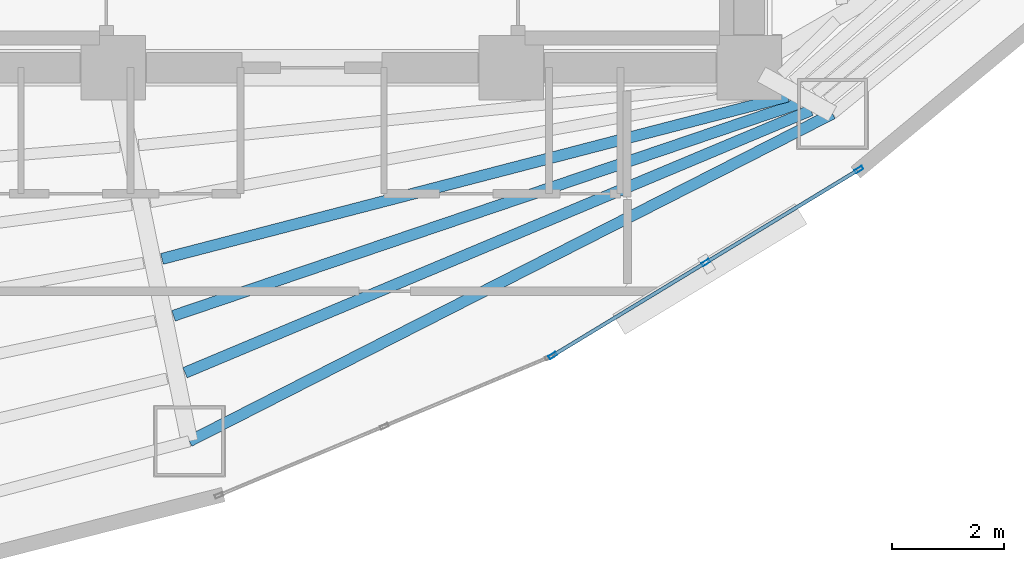
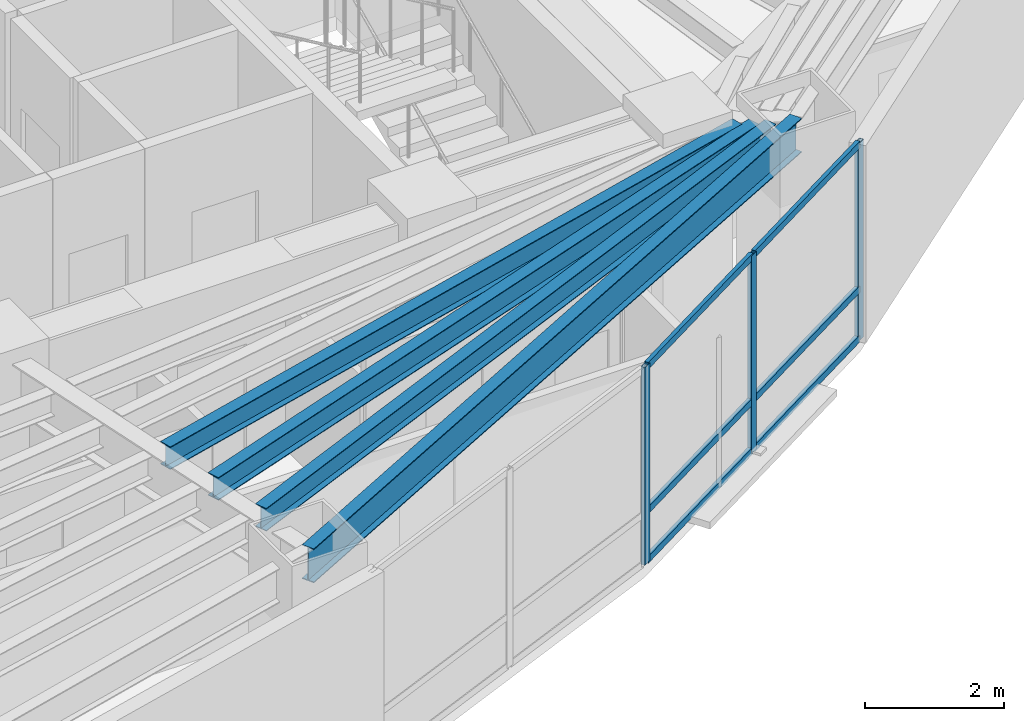
# One storey, part 5 of 18: 9 members, 4 beams, 1 element without a shape of its own.
"""IFC4 building model written with IfcOpenShell, lengths in metres."""

from ifc_helpers import new_model, si_unit, direction, frame, origin, origin_2d, place, context, subcontext, project, spatial, hollow_rectangle, i_section, extrude, material, layer, layer_set, material_profile, profile_set, type_object, element, aggregate, save


model = new_model("IFC4")

# Units and contexts
model_context = context("Model", 3, precision=1e-05, world=origin(), true_north=direction((0.0, 1.0)))
body_context = subcontext(model_context, "Body", "Model", "MODEL_VIEW")
ifc_project = project(units=[si_unit("LENGTHUNIT", "METRE"), si_unit("AREAUNIT", "SQUARE_METRE"), si_unit("VOLUMEUNIT", "CUBIC_METRE"), si_unit("PLANEANGLEUNIT", "RADIAN"), si_unit("MASSUNIT", "GRAM", prefix="KILO")], contexts=[model_context])

# Site, building, storey
site_placement = place(None, origin())
site = spatial("IfcSite", under=ifc_project, at=site_placement, CompositionType="ELEMENT")
building_placement = place(site_placement, origin())
building = spatial("IfcBuilding", under=site, at=building_placement, Name="Menara Vayukalpa", CompositionType="ELEMENT")
storey_placement = place(building_placement, frame((0.0, 0.0, 92.820068359375)))
storey = spatial("IfcBuildingStorey", under=building, at=storey_placement, Name="L22", CompositionType="ELEMENT", Elevation=92.820068359375)

# Beams
ifc_material_1 = material(Name="Steel S355", Category="steel")
ifc_material_profile_1 = material_profile(ifc_material_1, i_section(OverallWidth=0.199951171875, OverallDepth=0.39990234375, WebThickness=0.008056640625, FlangeThickness=0.012939453125, at=origin_2d()), Name="WF 400x200x8x13")
ifc_profile_set_1 = profile_set([ifc_material_profile_1], Name="Steel S355")
beam_type_1 = type_object("IfcBeamType", Name="BM-SJ2", PredefinedType="JOIST", material=ifc_profile_set_1)
beam_1_placement = place(storey_placement, frame((22.918701171875, 13.78662109375, 3.27001953125), z_axis=(0.967921665574, 0.251252162802, 0.0), x_axis=(-0.251252162802, 0.967921665574, 0.0)))
element("IfcBeam", 1, at=beam_1_placement, inside=storey, type_object=beam_type_1, Name="L22 Secondary Floor Joist SJ08-3", PredefinedType="JOIST", context=body_context, shape_type="SweptSolid", body=[
    extrude(i_section(OverallWidth=0.199951171875, OverallDepth=0.39990234375, WebThickness=0.008056640625, FlangeThickness=0.012939453125, at=origin_2d()), origin(), (0.0, 0.0, 1.0), 11.539794921875),
])
beam_2_placement = place(storey_placement, frame((23.12451171875, 12.77099609375, 3.27001953125), z_axis=(0.94694934653, 0.321382848183, 0.0), x_axis=(-0.321382848183, 0.94694934653, 0.0)))
element("IfcBeam", 2, at=beam_2_placement, inside=storey, type_object=beam_type_1, Name="L22 Secondary Floor Joist SJ08-4", PredefinedType="JOIST", context=body_context, shape_type="SweptSolid", body=[
    extrude(i_section(OverallWidth=0.199951171875, OverallDepth=0.39990234375, WebThickness=0.008056640625, FlangeThickness=0.012939453125, at=origin_2d()), origin(), (0.0, 0.0, 1.0), 11.7958984375),
])
beam_3_placement = place(storey_placement, frame((23.32958984375, 11.75439453125, 3.27001953125), z_axis=(0.922216637658, 0.386673600375, 0.0), x_axis=(-0.386673600375, 0.922216637658, 0.0)))
element("IfcBeam", 3, at=beam_3_placement, inside=storey, type_object=beam_type_1, Name="L22 Secondary Floor Joist SJ08-5", PredefinedType="JOIST", context=body_context, shape_type="SweptSolid", body=[
    extrude(i_section(OverallWidth=0.199951171875, OverallDepth=0.39990234375, WebThickness=0.008056640625, FlangeThickness=0.012939453125, at=origin_2d()), origin(), (0.0, 0.0, 1.0), 12.114501953125),
])
ifc_material_2 = material(Name="Steel S355", Category="steel")
ifc_material_profile_2 = material_profile(ifc_material_2, i_section(OverallWidth=0.199951171875, OverallDepth=0.60009765625, WebThickness=0.010986328125, FlangeThickness=0.01708984375, at=origin_2d()), Name="WF 600x200x11x17")
ifc_profile_set_2 = profile_set([ifc_material_profile_2], Name="Steel S355")
beam_type_2 = type_object("IfcBeamType", Name="BM-SP1", PredefinedType="SPANDREL", material=ifc_profile_set_2)
beam_4_placement = place(storey_placement, frame((23.408203125, 10.53271484375, 3.169921875), z_axis=(0.891097345221, 0.453812209333, 0.0), x_axis=(-0.453812209333, 0.891097345221, 0.0)))
element("IfcBeam", 4, at=beam_4_placement, inside=storey, type_object=beam_type_2, Name="L22 Perimeter Spandrel Beam SP08", PredefinedType="SPANDREL", context=body_context, shape_type="SweptSolid", body=[
    extrude(i_section(OverallWidth=0.199951171875, OverallDepth=0.60009765625, WebThickness=0.010986328125, FlangeThickness=0.01708984375, at=origin_2d()), origin(), (0.0, 0.0, 1.0), 12.88134765625),
])

# Curtain wall, members
ifc_material_3 = material(Name="Anodised Terracotta Aluminium Alloy 6063-T6", Category="masonry")
ifc_layer = layer(ifc_material_3, 0.14990234375)
ifc_layer_set = layer_set([ifc_layer], Name="Anodised Terracotta Aluminium Alloy 6063-T6")
curtain_wall_type = type_object("IfcCurtainWallType", Name="CW-CW3", PredefinedType="USERDEFINED", material=ifc_layer_set)
curtain_wall_placement = place(storey_placement, origin())
curtain_wall = element("IfcCurtainWall", 5, at=curtain_wall_placement, inside=storey, type_object=curtain_wall_type, Name="L22 Mid Rise Terracotta Ribbon Curtain Wall CW3 17", ObjectType="UNITISED", PredefinedType="USERDEFINED")
ifc_material_4 = material(Name="Anodised Terracotta Aluminium Alloy 6063-T6", Category="masonry")
ifc_material_profile_3 = material_profile(ifc_material_4, hollow_rectangle(XDim=0.06494140625, YDim=0.14990234375, WallThickness=0.00341796875, at=origin_2d()), Name="ALU 65x150x3.5")
ifc_profile_set_3 = profile_set([ifc_material_profile_3], Name="Anodised Terracotta Aluminium Alloy 6063-T6")
member_type_1 = type_object("IfcMemberType", Name="CWM-CW3", PredefinedType="MULLION", material=ifc_profile_set_3)
member_1_placement = place(storey_placement, frame((29.8935546875, 12.061767578125, 0.0), z_axis=(0.0, 0.0, 1.0), x_axis=(-0.519182959112, 0.854663123674, 0.0)))
member_1 = element("IfcMember", 6, at=member_1_placement, type_object=member_type_1, Name="CW3 mullion 1", PredefinedType="MULLION", context=body_context, shape_type="SweptSolid", body=[
    extrude(hollow_rectangle(XDim=0.06494140625, YDim=0.14990234375, WallThickness=0.00341796875, at=origin_2d()), origin(), (0.0, 0.0, 1.0), 3.469970703125),
])
member_2_placement = place(storey_placement, frame((32.6259765625, 13.721435546875, 0.0), z_axis=(0.0, 0.0, 1.0), x_axis=(-0.519182959112, 0.854663123674, 0.0)))
member_2 = element("IfcMember", 7, at=member_2_placement, type_object=member_type_1, Name="CW3 mullion 2", PredefinedType="MULLION", context=body_context, shape_type="SweptSolid", body=[
    extrude(hollow_rectangle(XDim=0.06494140625, YDim=0.14990234375, WallThickness=0.00341796875, at=origin_2d()), origin(), (0.0, 0.0, 1.0), 3.469970703125),
])
member_3_placement = place(storey_placement, frame((35.358154296875, 15.38134765625, 0.0), z_axis=(0.0, 0.0, 1.0), x_axis=(-0.519182959112, 0.854663123674, 0.0)))
member_3 = element("IfcMember", 8, at=member_3_placement, type_object=member_type_1, Name="CW3 mullion 3", PredefinedType="MULLION", context=body_context, shape_type="SweptSolid", body=[
    extrude(hollow_rectangle(XDim=0.06494140625, YDim=0.14990234375, WallThickness=0.00341796875, at=origin_2d()), origin(), (0.0, 0.0, 1.0), 3.469970703125),
])
ifc_material_5 = material(Name="Anodised Terracotta Aluminium Alloy 6063-T6", Category="masonry")
ifc_material_profile_4 = material_profile(ifc_material_5, hollow_rectangle(XDim=0.06494140625, YDim=0.1201171875, WallThickness=0.00341796875, at=origin_2d()), Name="ALU 65x120x3.5")
ifc_profile_set_4 = profile_set([ifc_material_profile_4], Name="Anodised Terracotta Aluminium Alloy 6063-T6")
member_type_2 = type_object("IfcMemberType", Name="CWT-CW3", PredefinedType="USERDEFINED", material=ifc_profile_set_4)
member_4_placement = place(storey_placement, frame((29.92138671875, 12.07861328125, 0.032470703125), z_axis=(0.854673871166, 0.519165266506, 0.0), x_axis=(-0.519165266506, 0.854673871166, 0.0)))
member_4 = element("IfcMember", 9, at=member_4_placement, type_object=member_type_2, Name="CW3 transom 1.1", ObjectType="TRANSOM", PredefinedType="USERDEFINED", context=body_context, shape_type="SweptSolid", body=[
    extrude(hollow_rectangle(XDim=0.06494140625, YDim=0.1201171875, WallThickness=0.00341796875, at=origin_2d()), origin(), (0.0, 0.0, 1.0), 3.1318359375),
])
member_5_placement = place(storey_placement, frame((29.92138671875, 12.07861328125, 0.89990234375), z_axis=(0.854673871166, 0.519165266506, 0.0), x_axis=(-0.519165266506, 0.854673871166, 0.0)))
member_5 = element("IfcMember", 10, at=member_5_placement, type_object=member_type_2, Name="CW3 transom 1.2", ObjectType="TRANSOM", PredefinedType="USERDEFINED", context=body_context, shape_type="SweptSolid", body=[
    extrude(hollow_rectangle(XDim=0.06494140625, YDim=0.1201171875, WallThickness=0.00341796875, at=origin_2d()), origin(), (0.0, 0.0, 1.0), 3.1318359375),
])
member_6_placement = place(storey_placement, frame((29.92138671875, 12.07861328125, 3.4375), z_axis=(0.854673871166, 0.519165266506, 0.0), x_axis=(-0.519165266506, 0.854673871166, 0.0)))
member_6 = element("IfcMember", 11, at=member_6_placement, type_object=member_type_2, Name="CW3 transom 1.3", ObjectType="TRANSOM", PredefinedType="USERDEFINED", context=body_context, shape_type="SweptSolid", body=[
    extrude(hollow_rectangle(XDim=0.06494140625, YDim=0.1201171875, WallThickness=0.00341796875, at=origin_2d()), origin(), (0.0, 0.0, 1.0), 3.1318359375),
])
member_7_placement = place(storey_placement, frame((32.65380859375, 13.73828125, 0.032470703125), z_axis=(0.854673871166, 0.519165266506, 0.0), x_axis=(-0.519165266506, 0.854673871166, 0.0)))
member_7 = element("IfcMember", 12, at=member_7_placement, type_object=member_type_2, Name="CW3 transom 2.1", ObjectType="TRANSOM", PredefinedType="USERDEFINED", context=body_context, shape_type="SweptSolid", body=[
    extrude(hollow_rectangle(XDim=0.06494140625, YDim=0.1201171875, WallThickness=0.00341796875, at=origin_2d()), origin(), (0.0, 0.0, 1.0), 3.1318359375),
])
member_8_placement = place(storey_placement, frame((32.65380859375, 13.73828125, 0.89990234375), z_axis=(0.854673871166, 0.519165266506, 0.0), x_axis=(-0.519165266506, 0.854673871166, 0.0)))
member_8 = element("IfcMember", 13, at=member_8_placement, type_object=member_type_2, Name="CW3 transom 2.2", ObjectType="TRANSOM", PredefinedType="USERDEFINED", context=body_context, shape_type="SweptSolid", body=[
    extrude(hollow_rectangle(XDim=0.06494140625, YDim=0.1201171875, WallThickness=0.00341796875, at=origin_2d()), origin(), (0.0, 0.0, 1.0), 3.1318359375),
])
member_9_placement = place(storey_placement, frame((32.65380859375, 13.73828125, 3.4375), z_axis=(0.854673871166, 0.519165266506, 0.0), x_axis=(-0.519165266506, 0.854673871166, 0.0)))
member_9 = element("IfcMember", 14, at=member_9_placement, type_object=member_type_2, Name="CW3 transom 2.3", ObjectType="TRANSOM", PredefinedType="USERDEFINED", context=body_context, shape_type="SweptSolid", body=[
    extrude(hollow_rectangle(XDim=0.06494140625, YDim=0.1201171875, WallThickness=0.00341796875, at=origin_2d()), origin(), (0.0, 0.0, 1.0), 3.1318359375),
])
aggregate(curtain_wall, [member_1, member_2, member_3, member_4, member_5, member_6, member_7, member_8, member_9])

save(model, "model.ifc")
